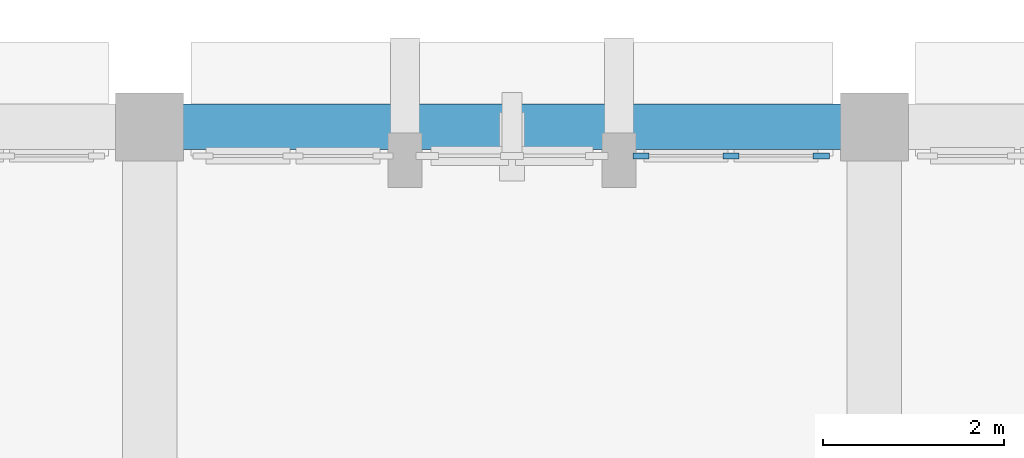
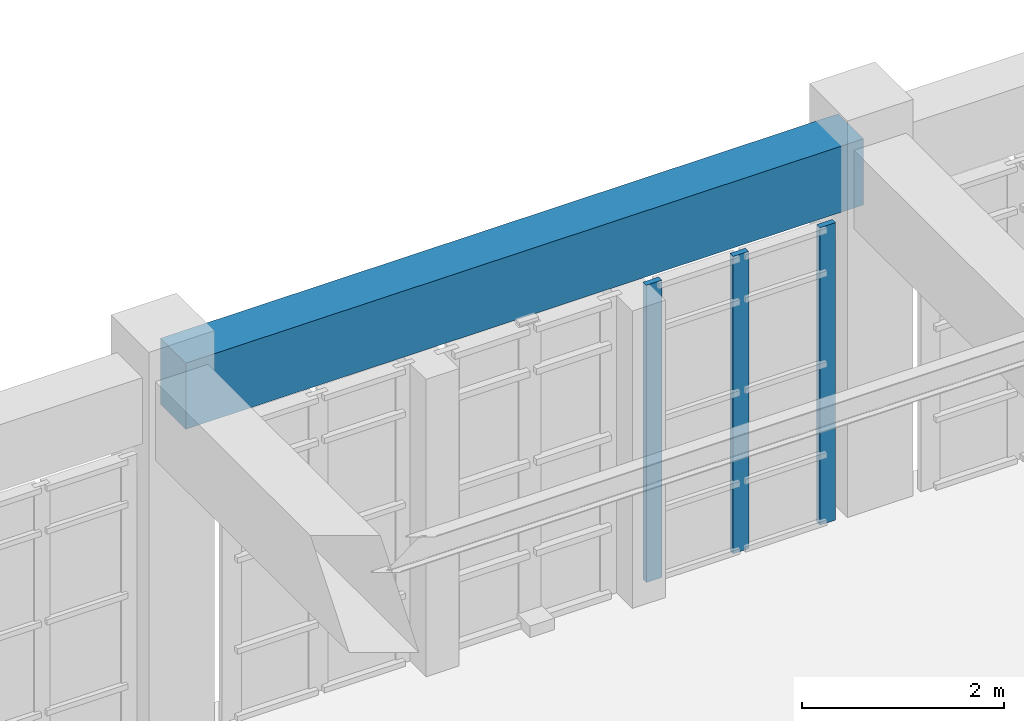
# One storey, part 29 of 155: 3 members, 1 beam, 1 element without a shape of its own.
"""IFC4 building model written with IfcOpenShell, lengths in metres."""

from ifc_helpers import new_model, si_unit, direction, frame, origin, origin_2d, place, context, subcontext, project, spatial, rectangle, extrude, material, layer, layer_set, material_profile, profile_set, type_object, element, aggregate, save


model = new_model("IFC4")

# Units and contexts
model_context = context("Model", 3, precision=1e-05, world=origin(), true_north=direction((0.0, 1.0)))
body_context = subcontext(model_context, "Body", "Model", "MODEL_VIEW")
ifc_project = project(units=[si_unit("LENGTHUNIT", "METRE"), si_unit("AREAUNIT", "SQUARE_METRE"), si_unit("VOLUMEUNIT", "CUBIC_METRE"), si_unit("PLANEANGLEUNIT", "RADIAN"), si_unit("MASSUNIT", "GRAM", prefix="KILO")], contexts=[model_context])

# Site, building, storey
site_placement = place(None, origin())
site = spatial("IfcSite", under=ifc_project, at=site_placement, CompositionType="ELEMENT")
building_placement = place(site_placement, origin())
building = spatial("IfcBuilding", under=site, at=building_placement, Name="Tazarka Park Arena", CompositionType="ELEMENT")
storey_placement = place(building_placement, frame((0.0, 0.0, 5.39990234375)))
storey = spatial("IfcBuildingStorey", under=building, at=storey_placement, Name="L01", CompositionType="ELEMENT", Elevation=5.39990234375)

# Beam
ifc_material_1 = material(Name="Concrete C40/50", Category="concrete")
ifc_material_profile_1 = material_profile(ifc_material_1, rectangle(XDim=0.5, YDim=0.800048828125, at=origin_2d()), Name="Concrete C40/50")
ifc_profile_set_1 = profile_set([ifc_material_profile_1], Name="Concrete C40/50")
beam_type = type_object("IfcBeamType", Name="BM-SP-01", PredefinedType="SPANDREL", material=ifc_profile_set_1)
beam_placement = place(storey_placement, frame((56.1201171875, 128.0, 4.02001953125), z_axis=(1.0, 0.0, 0.0), x_axis=(0.0, 1.0, 0.0)))
element("IfcBeam", 1, at=beam_placement, inside=storey, type_object=beam_type, Name="GXM-L01-07-16", PredefinedType="SPANDREL", context=body_context, shape_type="SweptSolid", body=[
    extrude(rectangle(XDim=0.5, YDim=0.800048828125, at=origin_2d()), origin(), (0.0, 0.0, 1.0), 7.759765625),
])

# Curtain wall, members
ifc_material_2 = material(Name="Aluminium and low-e glass", Category="aluminium")
ifc_layer = layer(ifc_material_2, 0.179931640625, Name="Aluminium and low-e glass")
ifc_layer_set = layer_set([ifc_layer], Name="Aluminium and low-e glass")
curtain_wall_type = type_object("IfcCurtainWallType", Name="CW-18", PredefinedType="NOTDEFINED", material=ifc_layer_set)
curtain_wall_placement = place(storey_placement, origin())
curtain_wall = element("IfcCurtainWall", 2, at=curtain_wall_placement, inside=storey, type_object=curtain_wall_type, Name="Curtain Wall CWA-L01-048", PredefinedType="NOTDEFINED")
ifc_material_3 = material(Name="Aluminium 6060-T66", Category="aluminium")
ifc_material_profile_2 = material_profile(ifc_material_3, rectangle(XDim=0.06494140625, YDim=0.179931640625, at=origin_2d()), Name="Aluminium 6060-T66")
ifc_profile_set_2 = profile_set([ifc_material_profile_2], Name="Aluminium 6060-T66")
member_type = type_object("IfcMemberType", Name="CWM-01", PredefinedType="MULLION", material=ifc_profile_set_2)
member_1_placement = place(storey_placement, frame((61.42431640625, 127.679931640625, 0.0), z_axis=(0.0, 0.0, 1.0), x_axis=(0.0, 1.0, 0.0)))
member_1 = element("IfcMember", 3, at=member_1_placement, type_object=member_type, Name="CW-18 mullion 1", PredefinedType="MULLION", context=body_context, shape_type="SweptSolid", body=[
    extrude(rectangle(XDim=0.06494140625, YDim=0.179931640625, at=origin_2d()), origin(), (0.0, 0.0, 1.0), 3.60009765625),
])
member_2_placement = place(storey_placement, frame((62.41845703125, 127.679931640625, 0.0), z_axis=(0.0, 0.0, 1.0), x_axis=(0.0, 1.0, 0.0)))
member_2 = element("IfcMember", 4, at=member_2_placement, type_object=member_type, Name="CW-18 mullion 2", PredefinedType="MULLION", context=body_context, shape_type="SweptSolid", body=[
    extrude(rectangle(XDim=0.06494140625, YDim=0.179931640625, at=origin_2d()), origin(), (0.0, 0.0, 1.0), 3.60009765625),
])
member_3_placement = place(storey_placement, frame((63.41259765625, 127.679931640625, 0.0), z_axis=(0.0, 0.0, 1.0), x_axis=(0.0, 1.0, 0.0)))
member_3 = element("IfcMember", 5, at=member_3_placement, type_object=member_type, Name="CW-18 mullion 3", PredefinedType="MULLION", context=body_context, shape_type="SweptSolid", body=[
    extrude(rectangle(XDim=0.06494140625, YDim=0.179931640625, at=origin_2d()), origin(), (0.0, 0.0, 1.0), 3.60009765625),
])
aggregate(curtain_wall, [member_1, member_2, member_3])

save(model, "model.ifc")
